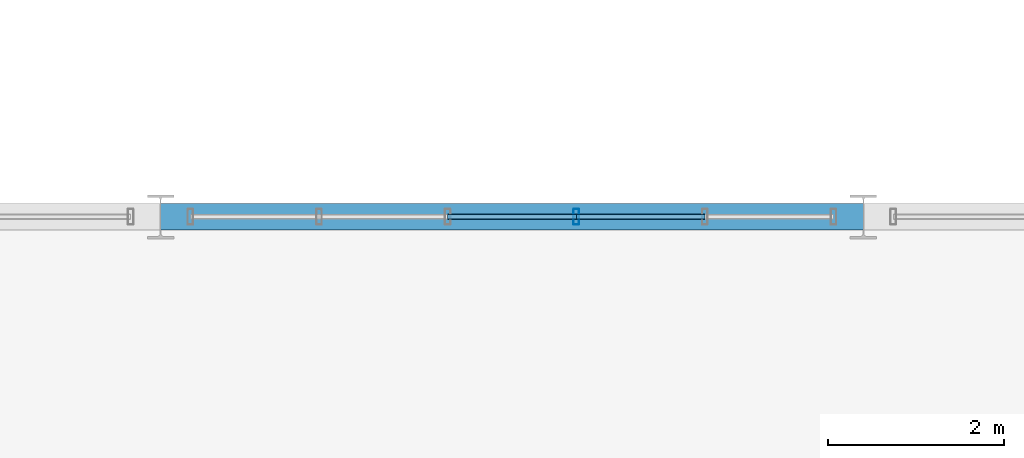
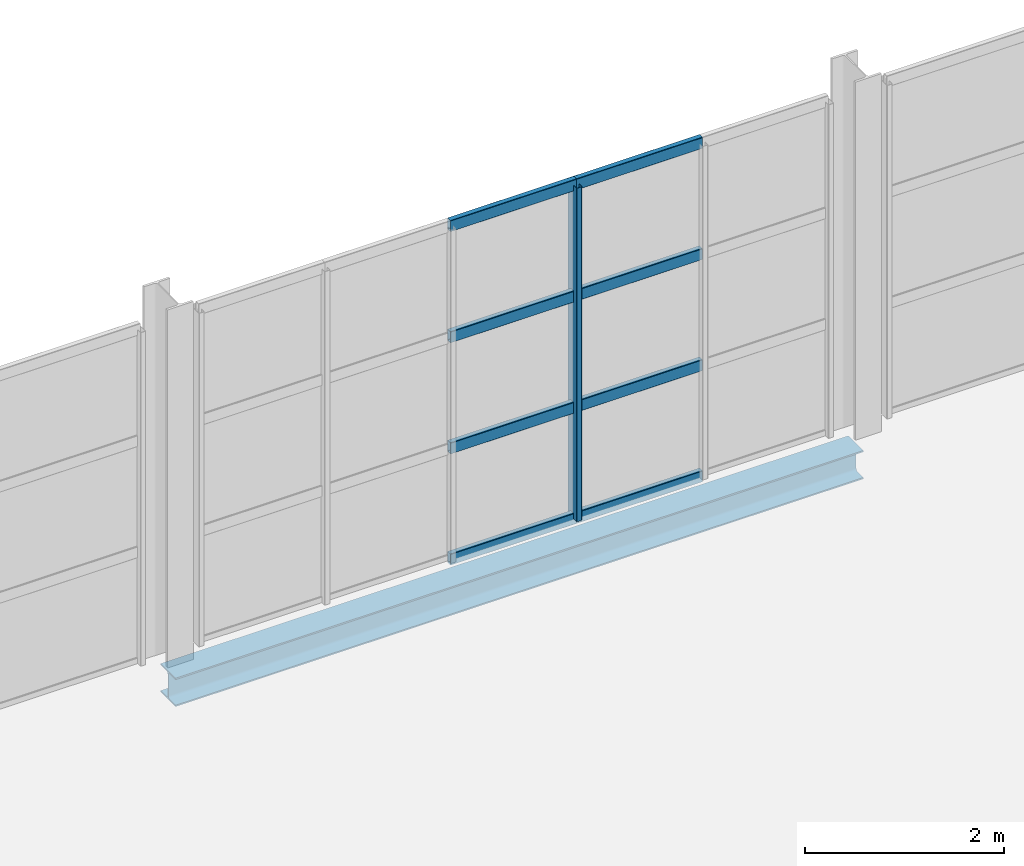
# One storey, part 81 of 153: 9 members, 1 beam, 1 element without a shape of its own.
"""IFC4 building model written with IfcOpenShell, lengths in metres."""

from ifc_helpers import new_model, si_unit, derived_unit, direction, frame, origin, origin_2d, place, context, subcontext, project, spatial, hollow_rectangle, i_section, extrude, material, material_profile, profile_set, type_object, element, aggregate, save


model = new_model("IFC4")

# Units and contexts
model_context = context("Model", 3, precision=1e-05, world=origin(), true_north=direction((0.0, 1.0)))
body_context = subcontext(model_context, "Body", "Model", "MODEL_VIEW")
ifc_project = project(units=[si_unit("LENGTHUNIT", "METRE"), si_unit("AREAUNIT", "SQUARE_METRE"), si_unit("VOLUMEUNIT", "CUBIC_METRE"), si_unit("PLANEANGLEUNIT", "RADIAN"), si_unit("MASSUNIT", "GRAM", prefix="KILO"), derived_unit("THERMALTRANSMITTANCEUNIT", [(si_unit("POWERUNIT", "WATT"), 1), (si_unit("LENGTHUNIT", "METRE"), -2), (si_unit("THERMODYNAMICTEMPERATUREUNIT", "KELVIN"), -1)])], contexts=[model_context])

# Site, building, storey
site_placement = place(None, origin())
site = spatial("IfcSite", under=ifc_project, at=site_placement, CompositionType="ELEMENT")
building_placement = place(site_placement, origin())
building = spatial("IfcBuilding", under=site, at=building_placement, Name="Keldorne Ridge Multi-Sports Centre", CompositionType="ELEMENT")
storey_placement = place(building_placement, frame((0.0, 0.0, 9.60009765625)))
storey = spatial("IfcBuildingStorey", under=building, at=storey_placement, Name="L02", CompositionType="ELEMENT", Elevation=9.60009765625)

# Beam
ifc_material_1 = material(Name="Steel S355", Category="steel")
ifc_material_profile_1 = material_profile(ifc_material_1, i_section(OverallWidth=0.300048828125, OverallDepth=0.35009765625, WebThickness=0.010009765625, FlangeThickness=0.017578125, FilletRadius=0.027099609375, at=origin_2d()), Name="HEA 360")
ifc_profile_set_1 = profile_set([ifc_material_profile_1], Name="Steel S355")
beam_type = type_object("IfcBeamType", Name="BM-SP-03", PredefinedType="SPANDREL", material=ifc_profile_set_1)
beam_placement = place(storey_placement, frame((128.0, 54.0, -0.4150390625), z_axis=(1.0, 0.0, 0.0), x_axis=(0.0, 1.0, 0.0)))
element("IfcBeam", 1, at=beam_placement, inside=storey, type_object=beam_type, Name="L02 Stacked Courts beam 4.13", PredefinedType="SPANDREL", context=body_context, shape_type="SweptSolid", body=[
    extrude(i_section(OverallWidth=0.300048828125, OverallDepth=0.35009765625, WebThickness=0.010009765625, FlangeThickness=0.017578125, FilletRadius=0.027099609375, at=origin_2d()), origin(), (0.0, 0.0, 1.0), 8.0),
])

# Curtain wall, members
ifc_material_2 = material(Name="Anodized aluminium", Category="aluminium")
curtain_wall_type = type_object("IfcCurtainWallType", Name="CW-CW-07", PredefinedType="NOTDEFINED", material=ifc_material_2)
curtain_wall_placement = place(storey_placement, origin())
curtain_wall = element("IfcCurtainWall", 2, at=curtain_wall_placement, inside=storey, type_object=curtain_wall_type, Name="Upper Courts north glazing 111", PredefinedType="NOTDEFINED")
ifc_material_profile_2 = material_profile(ifc_material_2, hollow_rectangle(XDim=0.06494140625, YDim=0.179931640625, WallThickness=0.00439453125, InnerFilletRadius=0.00439453125, OuterFilletRadius=0.009033203125, at=origin_2d()), Name="ALU MULLION 180x65x4.5")
ifc_profile_set_2 = profile_set([ifc_material_profile_2], Name="Anodized aluminium")
member_type_1 = type_object("IfcMemberType", Name="MEM-ML-01", PredefinedType="MULLION", material=ifc_profile_set_2)
member_1_placement = place(storey_placement, frame((132.73193359375, 54.0, 0.0), z_axis=(0.0, 0.0, 1.0), x_axis=(1.0, 0.0, 0.0)))
member_1 = element("IfcMember", 3, at=member_1_placement, type_object=member_type_1, Name="CW-111 vertical mullion 3", PredefinedType="MULLION", context=body_context, shape_type="SweptSolid", body=[
    extrude(hollow_rectangle(XDim=0.06494140625, YDim=0.179931640625, WallThickness=0.00439453125, InnerFilletRadius=0.00439453125, OuterFilletRadius=0.009033203125, at=origin_2d()), origin(), (0.0, 0.0, 1.0), 4.099853515625),
])
ifc_material_profile_3 = material_profile(ifc_material_2, hollow_rectangle(XDim=0.06494140625, YDim=0.139892578125, WallThickness=0.00439453125, InnerFilletRadius=0.00439453125, OuterFilletRadius=0.009033203125, at=origin_2d()), Name="ALU TRANSOM 140x65x4.5")
ifc_profile_set_3 = profile_set([ifc_material_profile_3], Name="Anodized aluminium")
member_type_2 = type_object("IfcMemberType", Name="MEM-TR-01", PredefinedType="USERDEFINED", material=ifc_profile_set_3)
member_2_placement = place(storey_placement, frame((134.196044921875, 54.0, 0.0), z_axis=(-1.0, 0.0, 0.0), x_axis=(0.0, -1.0, 0.0)))
member_2 = element("IfcMember", 4, at=member_2_placement, type_object=member_type_2, Name="CW-111 transom 2.1", ObjectType="TRANSOM", PredefinedType="USERDEFINED", context=body_context, shape_type="SweptSolid", body=[
    extrude(hollow_rectangle(XDim=0.06494140625, YDim=0.139892578125, WallThickness=0.00439453125, InnerFilletRadius=0.00439453125, OuterFilletRadius=0.009033203125, at=origin_2d()), origin(), (0.0, 0.0, 1.0), 1.464111328125),
])
member_3_placement = place(storey_placement, frame((134.196044921875, 54.0, 1.36669921875), z_axis=(-1.0, 0.0, 0.0), x_axis=(0.0, -1.0, 0.0)))
member_3 = element("IfcMember", 5, at=member_3_placement, type_object=member_type_2, Name="CW-111 transom 2.2", ObjectType="TRANSOM", PredefinedType="USERDEFINED", context=body_context, shape_type="SweptSolid", body=[
    extrude(hollow_rectangle(XDim=0.06494140625, YDim=0.139892578125, WallThickness=0.00439453125, InnerFilletRadius=0.00439453125, OuterFilletRadius=0.009033203125, at=origin_2d()), origin(), (0.0, 0.0, 1.0), 1.464111328125),
])
member_4_placement = place(storey_placement, frame((134.196044921875, 54.0, 2.733154296875), z_axis=(-1.0, 0.0, 0.0), x_axis=(0.0, -1.0, 0.0)))
member_4 = element("IfcMember", 6, at=member_4_placement, type_object=member_type_2, Name="CW-111 transom 2.3", ObjectType="TRANSOM", PredefinedType="USERDEFINED", context=body_context, shape_type="SweptSolid", body=[
    extrude(hollow_rectangle(XDim=0.06494140625, YDim=0.139892578125, WallThickness=0.00439453125, InnerFilletRadius=0.00439453125, OuterFilletRadius=0.009033203125, at=origin_2d()), origin(), (0.0, 0.0, 1.0), 1.464111328125),
])
member_5_placement = place(storey_placement, frame((134.196044921875, 54.0, 4.099853515625), z_axis=(-1.0, 0.0, 0.0), x_axis=(0.0, -1.0, 0.0)))
member_5 = element("IfcMember", 7, at=member_5_placement, type_object=member_type_2, Name="CW-111 transom 2.4", ObjectType="TRANSOM", PredefinedType="USERDEFINED", context=body_context, shape_type="SweptSolid", body=[
    extrude(hollow_rectangle(XDim=0.06494140625, YDim=0.139892578125, WallThickness=0.00439453125, InnerFilletRadius=0.00439453125, OuterFilletRadius=0.009033203125, at=origin_2d()), origin(), (0.0, 0.0, 1.0), 1.464111328125),
])
member_6_placement = place(storey_placement, frame((132.73193359375, 54.0, 0.0), z_axis=(-1.0, 0.0, 0.0), x_axis=(0.0, -1.0, 0.0)))
member_6 = element("IfcMember", 8, at=member_6_placement, type_object=member_type_2, Name="CW-111 transom 3.1", ObjectType="TRANSOM", PredefinedType="USERDEFINED", context=body_context, shape_type="SweptSolid", body=[
    extrude(hollow_rectangle(XDim=0.06494140625, YDim=0.139892578125, WallThickness=0.00439453125, InnerFilletRadius=0.00439453125, OuterFilletRadius=0.009033203125, at=origin_2d()), origin(), (0.0, 0.0, 1.0), 1.4638671875),
])
member_7_placement = place(storey_placement, frame((132.73193359375, 54.0, 1.36669921875), z_axis=(-1.0, 0.0, 0.0), x_axis=(0.0, -1.0, 0.0)))
member_7 = element("IfcMember", 9, at=member_7_placement, type_object=member_type_2, Name="CW-111 transom 3.2", ObjectType="TRANSOM", PredefinedType="USERDEFINED", context=body_context, shape_type="SweptSolid", body=[
    extrude(hollow_rectangle(XDim=0.06494140625, YDim=0.139892578125, WallThickness=0.00439453125, InnerFilletRadius=0.00439453125, OuterFilletRadius=0.009033203125, at=origin_2d()), origin(), (0.0, 0.0, 1.0), 1.4638671875),
])
member_8_placement = place(storey_placement, frame((132.73193359375, 54.0, 2.733154296875), z_axis=(-1.0, 0.0, 0.0), x_axis=(0.0, -1.0, 0.0)))
member_8 = element("IfcMember", 10, at=member_8_placement, type_object=member_type_2, Name="CW-111 transom 3.3", ObjectType="TRANSOM", PredefinedType="USERDEFINED", context=body_context, shape_type="SweptSolid", body=[
    extrude(hollow_rectangle(XDim=0.06494140625, YDim=0.139892578125, WallThickness=0.00439453125, InnerFilletRadius=0.00439453125, OuterFilletRadius=0.009033203125, at=origin_2d()), origin(), (0.0, 0.0, 1.0), 1.4638671875),
])
member_9_placement = place(storey_placement, frame((132.73193359375, 54.0, 4.099853515625), z_axis=(-1.0, 0.0, 0.0), x_axis=(0.0, -1.0, 0.0)))
member_9 = element("IfcMember", 11, at=member_9_placement, type_object=member_type_2, Name="CW-111 transom 3.4", ObjectType="TRANSOM", PredefinedType="USERDEFINED", context=body_context, shape_type="SweptSolid", body=[
    extrude(hollow_rectangle(XDim=0.06494140625, YDim=0.139892578125, WallThickness=0.00439453125, InnerFilletRadius=0.00439453125, OuterFilletRadius=0.009033203125, at=origin_2d()), origin(), (0.0, 0.0, 1.0), 1.4638671875),
])
aggregate(curtain_wall, [member_1, member_2, member_3, member_4, member_5, member_6, member_7, member_8, member_9])

save(model, "model.ifc")
